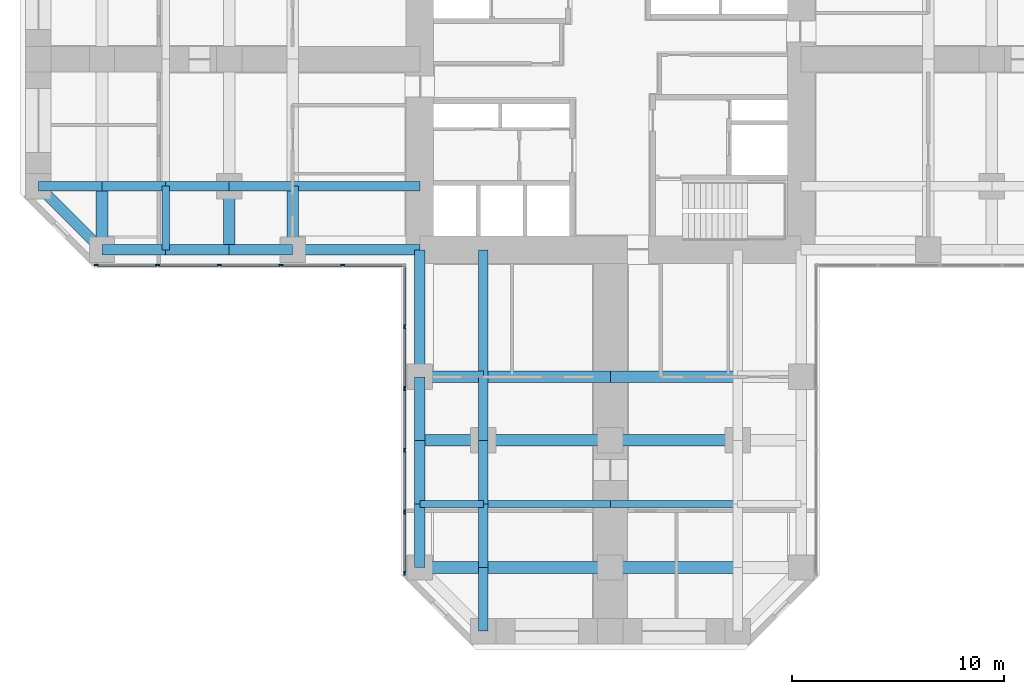
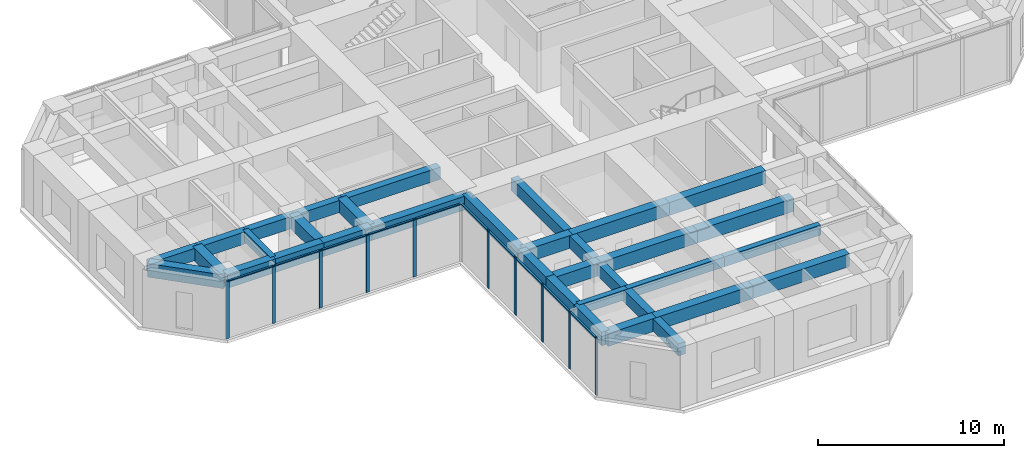
# One storey, part 2 of 13: 35 beams, 20 members, 2 elements without a shape of their own.
"""IFC4 building model written with IfcOpenShell, lengths in metres."""

from ifc_helpers import new_model, si_unit, direction, frame, origin, origin_2d, place, context, subcontext, project, spatial, rectangle, extrude, material, material_profile, profile_set, type_object, element, aggregate, save


model = new_model("IFC4")

# Units and contexts
model_context = context("Model", 3, precision=1e-05, world=origin(), true_north=direction((0.0, 1.0)))
body_context = subcontext(model_context, "Body", "Model", "MODEL_VIEW")
ifc_project = project(units=[si_unit("LENGTHUNIT", "METRE"), si_unit("AREAUNIT", "SQUARE_METRE"), si_unit("VOLUMEUNIT", "CUBIC_METRE"), si_unit("PLANEANGLEUNIT", "RADIAN"), si_unit("MASSUNIT", "GRAM", prefix="KILO")], contexts=[model_context])

# Site, building, storey
site_placement = place(None, origin())
site = spatial("IfcSite", under=ifc_project, at=site_placement, CompositionType="ELEMENT")
building_placement = place(site_placement, origin())
building = spatial("IfcBuilding", under=site, at=building_placement, Name="Torre Cruceta", CompositionType="ELEMENT")
storey_placement = place(building_placement, frame((0.0, 0.0, 55.5)))
storey = spatial("IfcBuildingStorey", under=building, at=storey_placement, Name="L13", CompositionType="ELEMENT", Elevation=55.5)

# Beams
ifc_material_1 = material(Name="Concrete G60 (fck 60 MPa)", Category="concrete")
ifc_material_profile_1 = material_profile(ifc_material_1, rectangle(XDim=0.449951171875, YDim=0.800048828125, at=origin_2d()), Name="RC 450X800")
ifc_profile_set_1 = profile_set([ifc_material_profile_1], Name="Concrete G60 (fck 60 MPa)")
beam_type_1 = type_object("IfcBeamType", Name="COLUMN LINE BEAM RC 450X800", PredefinedType="BEAM", material=ifc_profile_set_1)
beam_1_placement = place(storey_placement, frame((-6.0, -9.0, 3.39990234375), z_axis=(0.0, -1.0, 0.0), x_axis=(1.0, 0.0, 0.0)))
element("IfcBeam", 1, at=beam_1_placement, inside=storey, type_object=beam_type_1, Name="LB1 L13 S col- 1", PredefinedType="BEAM", context=body_context, shape_type="SweptSolid", body=[
    extrude(rectangle(XDim=0.449951171875, YDim=0.800048828125, at=origin_2d()), origin(), (0.0, 0.0, 1.0), 6.0),
])
for number, where, z_axis, x_axis, name in (
    (2, (-6.0, -15.0, 3.39990234375), (0.0, -1.0, 0.0), (1.0, 0.0, 0.0), "LB1 L13 S col- 2"),
    (3, (-6.0, -18.0, 3.39990234375), (0.0, -1.0, 0.0), (1.0, 0.0, 0.0), "LB1 L13 S col- 3"),
    (4, (-6.0, -21.0, 3.39990234375), (0.0, -1.0, 0.0), (1.0, 0.0, 0.0), "LB1 L13 S col- 4"),
    (5, (-6.0, -24.0, 3.39990234375), (0.0, -1.0, 0.0), (1.0, 0.0, 0.0), "LB1 L13 S col- 5"),
):
    element("IfcBeam", number, at=place(storey_placement, frame(where, z_axis=z_axis, x_axis=x_axis)), inside=storey, type_object=beam_type_1, Name=name, PredefinedType="BEAM", context=body_context, shape_type="SweptSolid", body=[
        extrude(rectangle(XDim=0.449951171875, YDim=0.800048828125, at=origin_2d()), origin(), (0.0, 0.0, 1.0), 3.0),
    ])
beam_2_placement = place(storey_placement, frame((-9.0, -6.0, 3.39990234375), z_axis=(-1.0, 0.0, 0.0), x_axis=(0.0, -1.0, 0.0)))
element("IfcBeam", 6, at=beam_2_placement, inside=storey, type_object=beam_type_1, Name="LB1 L13 W col+ 1", PredefinedType="BEAM", context=body_context, shape_type="SweptSolid", body=[
    extrude(rectangle(XDim=0.449951171875, YDim=0.800048828125, at=origin_2d()), origin(), (0.0, 0.0, 1.0), 6.0),
])
for number, where, z_axis, x_axis, name in (
    (7, (-15.0, -6.0, 3.39990234375), (-1.0, 0.0, 0.0), (0.0, -1.0, 0.0), "LB1 L13 W col+ 2"),
    (8, (-18.0, -6.0, 3.39990234375), (-1.0, 0.0, 0.0), (0.0, -1.0, 0.0), "LB1 L13 W col+ 3"),
    (9, (-21.0, -6.0, 3.39990234375), (-1.0, 0.0, 0.0), (0.0, -1.0, 0.0), "LB1 L13 W col+ 4"),
    (10, (-24.0, -6.0, 3.39990234375), (-1.0, 0.0, 0.0), (0.0, -1.0, 0.0), "LB1 L13 W col+ 5"),
):
    element("IfcBeam", number, at=place(storey_placement, frame(where, z_axis=z_axis, x_axis=x_axis)), inside=storey, type_object=beam_type_1, Name=name, PredefinedType="BEAM", context=body_context, shape_type="SweptSolid", body=[
        extrude(rectangle(XDim=0.449951171875, YDim=0.800048828125, at=origin_2d()), origin(), (0.0, 0.0, 1.0), 3.0),
    ])
ifc_material_2 = material(Name="Concrete G60 (fck 60 MPa)", Category="concrete")
ifc_material_profile_2 = material_profile(ifc_material_2, rectangle(XDim=0.550048828125, YDim=0.85009765625, at=origin_2d()), Name="RC 550X850")
ifc_profile_set_2 = profile_set([ifc_material_profile_2], Name="Concrete G60 (fck 60 MPa)")
beam_type_2 = type_object("IfcBeamType", Name="CROSS BEAM RC 550X850", PredefinedType="BEAM", material=ifc_profile_set_2)
beam_3_placement = place(storey_placement, frame((-9.0, -15.0, 3.375), z_axis=(1.0, 0.0, 0.0), x_axis=(0.0, 1.0, 0.0)))
element("IfcBeam", 11, at=beam_3_placement, inside=storey, type_object=beam_type_2, Name="GB4 L13 S cross15 1", PredefinedType="BEAM", context=body_context, shape_type="SweptSolid", body=[
    extrude(rectangle(XDim=0.550048828125, YDim=0.85009765625, at=origin_2d()), origin(), (0.0, 0.0, 1.0), 3.0),
])
for number, where, z_axis, x_axis, name in (
    (12, (-6.0, -15.0, 3.375), (1.0, 0.0, 0.0), (0.0, 1.0, 0.0), "GB4 L13 S cross15 2"),
    (13, (0.0, -15.0, 3.375), (1.0, 0.0, 0.0), (0.0, 1.0, 0.0), "GB4 L13 S cross15 3"),
):
    element("IfcBeam", number, at=place(storey_placement, frame(where, z_axis=z_axis, x_axis=x_axis)), inside=storey, type_object=beam_type_2, Name=name, PredefinedType="BEAM", context=body_context, shape_type="SweptSolid", body=[
        extrude(rectangle(XDim=0.550048828125, YDim=0.85009765625, at=origin_2d()), origin(), (0.0, 0.0, 1.0), 6.0),
    ])
beam_4_placement = place(storey_placement, frame((-9.0, -18.0, 3.375), z_axis=(1.0, 0.0, 0.0), x_axis=(0.0, 1.0, 0.0)))
element("IfcBeam", 14, at=beam_4_placement, inside=storey, type_object=beam_type_2, Name="GB4 L13 S cross18 1", PredefinedType="BEAM", context=body_context, shape_type="SweptSolid", body=[
    extrude(rectangle(XDim=0.550048828125, YDim=0.85009765625, at=origin_2d()), origin(), (0.0, 0.0, 1.0), 3.0),
])
for number, where, z_axis, x_axis, name in (
    (15, (-6.0, -18.0, 3.375), (1.0, 0.0, 0.0), (0.0, 1.0, 0.0), "GB4 L13 S cross18 2"),
    (16, (0.0, -18.0, 3.375), (1.0, 0.0, 0.0), (0.0, 1.0, 0.0), "GB4 L13 S cross18 3"),
):
    element("IfcBeam", number, at=place(storey_placement, frame(where, z_axis=z_axis, x_axis=x_axis)), inside=storey, type_object=beam_type_2, Name=name, PredefinedType="BEAM", context=body_context, shape_type="SweptSolid", body=[
        extrude(rectangle(XDim=0.550048828125, YDim=0.85009765625, at=origin_2d()), origin(), (0.0, 0.0, 1.0), 6.0),
    ])
beam_5_placement = place(storey_placement, frame((-9.0, -24.0, 3.375), z_axis=(1.0, 0.0, 0.0), x_axis=(0.0, 1.0, 0.0)))
element("IfcBeam", 17, at=beam_5_placement, inside=storey, type_object=beam_type_2, Name="GB4 L13 S cross24 1", PredefinedType="BEAM", context=body_context, shape_type="SweptSolid", body=[
    extrude(rectangle(XDim=0.550048828125, YDim=0.85009765625, at=origin_2d()), origin(), (0.0, 0.0, 1.0), 3.0),
])
for number, where, z_axis, x_axis, name in (
    (18, (-6.0, -24.0, 3.375), (1.0, 0.0, 0.0), (0.0, 1.0, 0.0), "GB4 L13 S cross24 2"),
    (19, (0.0, -24.0, 3.375), (1.0, 0.0, 0.0), (0.0, 1.0, 0.0), "GB4 L13 S cross24 3"),
):
    element("IfcBeam", number, at=place(storey_placement, frame(where, z_axis=z_axis, x_axis=x_axis)), inside=storey, type_object=beam_type_2, Name=name, PredefinedType="BEAM", context=body_context, shape_type="SweptSolid", body=[
        extrude(rectangle(XDim=0.550048828125, YDim=0.85009765625, at=origin_2d()), origin(), (0.0, 0.0, 1.0), 6.0),
    ])
for number, where, z_axis, x_axis, name in (
    (20, (-15.0, -6.0, 3.375), (0.0, -1.0, 0.0), (1.0, 0.0, 0.0), "GB4 L13 W cross15 4"),
    (21, (-18.0, -6.0, 3.375), (0.0, -1.0, 0.0), (1.0, 0.0, 0.0), "GB4 L13 W cross18 4"),
    (22, (-24.0, -6.0, 3.375), (0.0, -1.0, 0.0), (1.0, 0.0, 0.0), "GB4 L13 W cross24 4"),
):
    element("IfcBeam", number, at=place(storey_placement, frame(where, z_axis=z_axis, x_axis=x_axis)), inside=storey, type_object=beam_type_2, Name=name, PredefinedType="BEAM", context=body_context, shape_type="SweptSolid", body=[
        extrude(rectangle(XDim=0.550048828125, YDim=0.85009765625, at=origin_2d()), origin(), (0.0, 0.0, 1.0), 3.0),
    ])

# Curtain wall, members
ifc_material_3 = material(Name="Aluminium unitised curtain wall", Category="aluminium")
curtain_wall_type = type_object("IfcCurtainWallType", Name="CURTAIN WALL CW-A OFFICE LOW RISE", PredefinedType="USERDEFINED", material=ifc_material_3)
curtain_wall_1_placement = place(storey_placement, origin())
curtain_wall_1 = element("IfcCurtainWall", 23, at=curtain_wall_1_placement, inside=storey, type_object=curtain_wall_type, Name="CW-A L13 W side 14", ObjectType="UNITISED", PredefinedType="USERDEFINED")
ifc_material_4 = material(Name="Aluminium mullion", Category="aluminium")
ifc_material_profile_3 = material_profile(ifc_material_4, rectangle(XDim=0.06494140625, YDim=0.199951171875, at=origin_2d()), Name="AL 65X200")
ifc_profile_set_3 = profile_set([ifc_material_profile_3], Name="Aluminium mullion")
member_type_1 = type_object("IfcMemberType", Name="CW-A MULLION 65X200", PredefinedType="MULLION", material=ifc_profile_set_3)
member_1_placement = place(storey_placement, frame((-24.265625, -9.719970703125, 0.0), z_axis=(0.0, 0.0, 1.0), x_axis=(0.0, 1.0, 0.0)))
member_1 = element("IfcMember", 24, at=member_1_placement, type_object=member_type_1, Name="CW-A mullion 1", PredefinedType="MULLION", context=body_context, shape_type="SweptSolid", body=[
    extrude(rectangle(XDim=0.06494140625, YDim=0.199951171875, at=origin_2d()), origin(), (0.0, 0.0, 1.0), 3.800048828125),
])
member_2_placement = place(storey_placement, frame((-21.382568359375, -9.719970703125, 0.0), z_axis=(0.0, 0.0, 1.0), x_axis=(0.0, 1.0, 0.0)))
member_2 = element("IfcMember", 25, at=member_2_placement, type_object=member_type_1, Name="CW-A mullion 2", PredefinedType="MULLION", context=body_context, shape_type="SweptSolid", body=[
    extrude(rectangle(XDim=0.06494140625, YDim=0.199951171875, at=origin_2d()), origin(), (0.0, 0.0, 1.0), 3.800048828125),
])
member_3_placement = place(storey_placement, frame((-18.467041015625, -9.719970703125, 0.0), z_axis=(0.0, 0.0, 1.0), x_axis=(0.0, 1.0, 0.0)))
member_3 = element("IfcMember", 26, at=member_3_placement, type_object=member_type_1, Name="CW-A mullion 3", PredefinedType="MULLION", context=body_context, shape_type="SweptSolid", body=[
    extrude(rectangle(XDim=0.06494140625, YDim=0.199951171875, at=origin_2d()), origin(), (0.0, 0.0, 1.0), 3.800048828125),
])
member_4_placement = place(storey_placement, frame((-15.55126953125, -9.719970703125, 0.0), z_axis=(0.0, 0.0, 1.0), x_axis=(0.0, 1.0, 0.0)))
member_4 = element("IfcMember", 27, at=member_4_placement, type_object=member_type_1, Name="CW-A mullion 4", PredefinedType="MULLION", context=body_context, shape_type="SweptSolid", body=[
    extrude(rectangle(XDim=0.06494140625, YDim=0.199951171875, at=origin_2d()), origin(), (0.0, 0.0, 1.0), 3.800048828125),
])
member_5_placement = place(storey_placement, frame((-12.6357421875, -9.719970703125, 0.0), z_axis=(0.0, 0.0, 1.0), x_axis=(0.0, 1.0, 0.0)))
member_5 = element("IfcMember", 28, at=member_5_placement, type_object=member_type_1, Name="CW-A mullion 5", PredefinedType="MULLION", context=body_context, shape_type="SweptSolid", body=[
    extrude(rectangle(XDim=0.06494140625, YDim=0.199951171875, at=origin_2d()), origin(), (0.0, 0.0, 1.0), 3.800048828125),
])

curtain_wall_2_placement = place(storey_placement, origin())
curtain_wall_2 = element("IfcCurtainWall", 29, at=curtain_wall_2_placement, inside=storey, type_object=curtain_wall_type, Name="CW-A L13 S side 15", ObjectType="UNITISED", PredefinedType="USERDEFINED")
member_6_placement = place(storey_placement, frame((-9.719970703125, -12.6357421875, 0.0), z_axis=(0.0, 0.0, 1.0), x_axis=(1.0, 0.0, 0.0)))
member_6 = element("IfcMember", 30, at=member_6_placement, type_object=member_type_1, Name="CW-A mullion 2", PredefinedType="MULLION", context=body_context, shape_type="SweptSolid", body=[
    extrude(rectangle(XDim=0.06494140625, YDim=0.199951171875, at=origin_2d()), origin(), (0.0, 0.0, 1.0), 3.800048828125),
])
member_7_placement = place(storey_placement, frame((-9.719970703125, -15.55126953125, 0.0), z_axis=(0.0, 0.0, 1.0), x_axis=(1.0, 0.0, 0.0)))
member_7 = element("IfcMember", 31, at=member_7_placement, type_object=member_type_1, Name="CW-A mullion 3", PredefinedType="MULLION", context=body_context, shape_type="SweptSolid", body=[
    extrude(rectangle(XDim=0.06494140625, YDim=0.199951171875, at=origin_2d()), origin(), (0.0, 0.0, 1.0), 3.800048828125),
])
member_8_placement = place(storey_placement, frame((-9.719970703125, -18.467041015625, 0.0), z_axis=(0.0, 0.0, 1.0), x_axis=(1.0, 0.0, 0.0)))
member_8 = element("IfcMember", 32, at=member_8_placement, type_object=member_type_1, Name="CW-A mullion 4", PredefinedType="MULLION", context=body_context, shape_type="SweptSolid", body=[
    extrude(rectangle(XDim=0.06494140625, YDim=0.199951171875, at=origin_2d()), origin(), (0.0, 0.0, 1.0), 3.800048828125),
])
member_9_placement = place(storey_placement, frame((-9.719970703125, -21.382568359375, 0.0), z_axis=(0.0, 0.0, 1.0), x_axis=(1.0, 0.0, 0.0)))
member_9 = element("IfcMember", 33, at=member_9_placement, type_object=member_type_1, Name="CW-A mullion 5", PredefinedType="MULLION", context=body_context, shape_type="SweptSolid", body=[
    extrude(rectangle(XDim=0.06494140625, YDim=0.199951171875, at=origin_2d()), origin(), (0.0, 0.0, 1.0), 3.800048828125),
])
member_10_placement = place(storey_placement, frame((-9.719970703125, -24.265625, 0.0), z_axis=(0.0, 0.0, 1.0), x_axis=(1.0, 0.0, 0.0)))
member_10 = element("IfcMember", 34, at=member_10_placement, type_object=member_type_1, Name="CW-A mullion 6", PredefinedType="MULLION", context=body_context, shape_type="SweptSolid", body=[
    extrude(rectangle(XDim=0.06494140625, YDim=0.199951171875, at=origin_2d()), origin(), (0.0, 0.0, 1.0), 3.800048828125),
])

# Member
ifc_material_5 = material(Name="Aluminium transom", Category="aluminium")
ifc_material_profile_4 = material_profile(ifc_material_5, rectangle(XDim=0.1201171875, YDim=0.06494140625, at=origin_2d()), Name="AL 120X65")
ifc_profile_set_4 = profile_set([ifc_material_profile_4], Name="Aluminium transom")
member_type_2 = type_object("IfcMemberType", Name="CW-A TRANSOM 65X120", PredefinedType="USERDEFINED", material=ifc_profile_set_4)
member_11_placement = place(storey_placement, frame((-24.233154296875, -9.719970703125, 3.767578125), z_axis=(1.0, 0.0, 0.0), x_axis=(0.0, 1.0, 0.0)))
member_11 = element("IfcMember", 35, at=member_11_placement, type_object=member_type_2, Name="CW-A transom 1", ObjectType="TRANSOM", PredefinedType="USERDEFINED", context=body_context, shape_type="SweptSolid", body=[
    extrude(rectangle(XDim=0.1201171875, YDim=0.06494140625, at=origin_2d()), origin(), (0.0, 0.0, 1.0), 2.818115234375),
])

member_12_placement = place(storey_placement, frame((-21.35009765625, -9.719970703125, 3.767578125), z_axis=(1.0, 0.0, 0.0), x_axis=(0.0, 1.0, 0.0)))
member_12 = element("IfcMember", 36, at=member_12_placement, type_object=member_type_2, Name="CW-A transom 2", ObjectType="TRANSOM", PredefinedType="USERDEFINED", context=body_context, shape_type="SweptSolid", body=[
    extrude(rectangle(XDim=0.1201171875, YDim=0.06494140625, at=origin_2d()), origin(), (0.0, 0.0, 1.0), 2.8505859375),
])

member_13_placement = place(storey_placement, frame((-18.434326171875, -9.719970703125, 3.767578125), z_axis=(1.0, 0.0, 0.0), x_axis=(0.0, 1.0, 0.0)))
member_13 = element("IfcMember", 37, at=member_13_placement, type_object=member_type_2, Name="CW-A transom 3", ObjectType="TRANSOM", PredefinedType="USERDEFINED", context=body_context, shape_type="SweptSolid", body=[
    extrude(rectangle(XDim=0.1201171875, YDim=0.06494140625, at=origin_2d()), origin(), (0.0, 0.0, 1.0), 2.8505859375),
])

member_14_placement = place(storey_placement, frame((-15.518798828125, -9.719970703125, 3.767578125), z_axis=(1.0, 0.0, 0.0), x_axis=(0.0, 1.0, 0.0)))
member_14 = element("IfcMember", 38, at=member_14_placement, type_object=member_type_2, Name="CW-A transom 4", ObjectType="TRANSOM", PredefinedType="USERDEFINED", context=body_context, shape_type="SweptSolid", body=[
    extrude(rectangle(XDim=0.1201171875, YDim=0.06494140625, at=origin_2d()), origin(), (0.0, 0.0, 1.0), 2.8505859375),
])

member_15_placement = place(storey_placement, frame((-12.60302734375, -9.719970703125, 3.767578125), z_axis=(1.0, 0.0, 0.0), x_axis=(0.0, 1.0, 0.0)))
member_15 = element("IfcMember", 39, at=member_15_placement, type_object=member_type_2, Name="CW-A transom 5", ObjectType="TRANSOM", PredefinedType="USERDEFINED", context=body_context, shape_type="SweptSolid", body=[
    extrude(rectangle(XDim=0.1201171875, YDim=0.06494140625, at=origin_2d()), origin(), (0.0, 0.0, 1.0), 2.818115234375),
])

aggregate(curtain_wall_1, [member_1, member_2, member_3, member_4, member_5, member_11, member_12, member_13, member_14, member_15])

member_16_placement = place(storey_placement, frame((-9.719970703125, -9.784912109375, 3.767578125), z_axis=(0.0, -1.0, 0.0), x_axis=(1.0, 0.0, 0.0)))
member_16 = element("IfcMember", 40, at=member_16_placement, type_object=member_type_2, Name="CW-A transom 1", ObjectType="TRANSOM", PredefinedType="USERDEFINED", context=body_context, shape_type="SweptSolid", body=[
    extrude(rectangle(XDim=0.1201171875, YDim=0.06494140625, at=origin_2d()), origin(), (0.0, 0.0, 1.0), 2.818115234375),
])

member_17_placement = place(storey_placement, frame((-9.719970703125, -12.668212890625, 3.767578125), z_axis=(0.0, -1.0, 0.0), x_axis=(1.0, 0.0, 0.0)))
member_17 = element("IfcMember", 41, at=member_17_placement, type_object=member_type_2, Name="CW-A transom 2", ObjectType="TRANSOM", PredefinedType="USERDEFINED", context=body_context, shape_type="SweptSolid", body=[
    extrude(rectangle(XDim=0.1201171875, YDim=0.06494140625, at=origin_2d()), origin(), (0.0, 0.0, 1.0), 2.8505859375),
])

member_18_placement = place(storey_placement, frame((-9.719970703125, -15.583740234375, 3.767578125), z_axis=(0.0, -1.0, 0.0), x_axis=(1.0, 0.0, 0.0)))
member_18 = element("IfcMember", 42, at=member_18_placement, type_object=member_type_2, Name="CW-A transom 3", ObjectType="TRANSOM", PredefinedType="USERDEFINED", context=body_context, shape_type="SweptSolid", body=[
    extrude(rectangle(XDim=0.1201171875, YDim=0.06494140625, at=origin_2d()), origin(), (0.0, 0.0, 1.0), 2.8505859375),
])

member_19_placement = place(storey_placement, frame((-9.719970703125, -18.49951171875, 3.767578125), z_axis=(0.0, -1.0, 0.0), x_axis=(1.0, 0.0, 0.0)))
member_19 = element("IfcMember", 43, at=member_19_placement, type_object=member_type_2, Name="CW-A transom 4", ObjectType="TRANSOM", PredefinedType="USERDEFINED", context=body_context, shape_type="SweptSolid", body=[
    extrude(rectangle(XDim=0.1201171875, YDim=0.06494140625, at=origin_2d()), origin(), (0.0, 0.0, 1.0), 2.8505859375),
])

member_20_placement = place(storey_placement, frame((-9.719970703125, -21.4150390625, 3.767578125), z_axis=(0.0, -1.0, 0.0), x_axis=(1.0, 0.0, 0.0)))
member_20 = element("IfcMember", 44, at=member_20_placement, type_object=member_type_2, Name="CW-A transom 5", ObjectType="TRANSOM", PredefinedType="USERDEFINED", context=body_context, shape_type="SweptSolid", body=[
    extrude(rectangle(XDim=0.1201171875, YDim=0.06494140625, at=origin_2d()), origin(), (0.0, 0.0, 1.0), 2.818115234375),
])

aggregate(curtain_wall_2, [member_6, member_7, member_8, member_9, member_10, member_16, member_17, member_18, member_19, member_20])

# Beams
ifc_material_6 = material(Name="Concrete G60 (fck 60 MPa)", Category="concrete")
ifc_material_profile_5 = material_profile(ifc_material_6, rectangle(XDim=0.35009765625, YDim=0.64990234375, at=origin_2d()), Name="RC 350X650")
ifc_profile_set_5 = profile_set([ifc_material_profile_5], Name="Concrete G60 (fck 60 MPa)")
beam_type_3 = type_object("IfcBeamType", Name="SECONDARY BEAM RC 350X650", PredefinedType="JOIST", material=ifc_profile_set_5)
beam_6_placement = place(storey_placement, frame((-9.0, -21.0, 3.47509765625), z_axis=(1.0, 0.0, 0.0), x_axis=(0.0, 1.0, 0.0)))
element("IfcBeam", 45, at=beam_6_placement, inside=storey, type_object=beam_type_3, Name="JB3 L13 S sec21 1", PredefinedType="JOIST", context=body_context, shape_type="SweptSolid", body=[
    extrude(rectangle(XDim=0.35009765625, YDim=0.64990234375, at=origin_2d()), origin(), (0.0, 0.0, 1.0), 3.0),
])
for number, where, z_axis, x_axis, name in (
    (46, (-6.0, -21.0, 3.47509765625), (1.0, 0.0, 0.0), (0.0, 1.0, 0.0), "JB3 L13 S sec21 2"),
    (47, (0.0, -21.0, 3.47509765625), (1.0, 0.0, 0.0), (0.0, 1.0, 0.0), "JB3 L13 S sec21 3"),
):
    element("IfcBeam", number, at=place(storey_placement, frame(where, z_axis=z_axis, x_axis=x_axis)), inside=storey, type_object=beam_type_3, Name=name, PredefinedType="JOIST", context=body_context, shape_type="SweptSolid", body=[
        extrude(rectangle(XDim=0.35009765625, YDim=0.64990234375, at=origin_2d()), origin(), (0.0, 0.0, 1.0), 6.0),
    ])
beam_7_placement = place(storey_placement, frame((-21.0, -6.0, 3.47509765625), z_axis=(0.0, -1.0, 0.0), x_axis=(1.0, 0.0, 0.0)))
element("IfcBeam", 48, at=beam_7_placement, inside=storey, type_object=beam_type_3, Name="JB3 L13 W sec21 4", PredefinedType="JOIST", context=body_context, shape_type="SweptSolid", body=[
    extrude(rectangle(XDim=0.35009765625, YDim=0.64990234375, at=origin_2d()), origin(), (0.0, 0.0, 1.0), 3.0),
])
ifc_material_7 = material(Name="Concrete G60 (fck 60 MPa)", Category="concrete")
ifc_material_profile_6 = material_profile(ifc_material_7, rectangle(XDim=0.5, YDim=0.89990234375, at=origin_2d()), Name="RC 500X900")
ifc_profile_set_6 = profile_set([ifc_material_profile_6], Name="Concrete G60 (fck 60 MPa)")
beam_type_4 = type_object("IfcBeamType", Name="SPANDREL BEAM RC 500X900", PredefinedType="SPANDREL", material=ifc_profile_set_6)
beam_8_placement = place(storey_placement, frame((-9.0, -9.0, 3.35009765625), z_axis=(0.0, -1.0, 0.0), x_axis=(1.0, 0.0, 0.0)))
element("IfcBeam", 49, at=beam_8_placement, inside=storey, type_object=beam_type_4, Name="SB4 L13 S side- 1", PredefinedType="SPANDREL", context=body_context, shape_type="SweptSolid", body=[
    extrude(rectangle(XDim=0.5, YDim=0.89990234375, at=origin_2d()), origin(), (0.0, 0.0, 1.0), 6.0),
])
for number, where, z_axis, x_axis, name in (
    (50, (-9.0, -15.0, 3.35009765625), (0.0, -1.0, 0.0), (1.0, 0.0, 0.0), "SB4 L13 S side- 2"),
    (51, (-9.0, -18.0, 3.35009765625), (0.0, -1.0, 0.0), (1.0, 0.0, 0.0), "SB4 L13 S side- 3"),
    (52, (-9.0, -21.0, 3.35009765625), (0.0, -1.0, 0.0), (1.0, 0.0, 0.0), "SB4 L13 S side- 4"),
):
    element("IfcBeam", number, at=place(storey_placement, frame(where, z_axis=z_axis, x_axis=x_axis)), inside=storey, type_object=beam_type_4, Name=name, PredefinedType="SPANDREL", context=body_context, shape_type="SweptSolid", body=[
        extrude(rectangle(XDim=0.5, YDim=0.89990234375, at=origin_2d()), origin(), (0.0, 0.0, 1.0), 3.0),
    ])
beam_9_placement = place(storey_placement, frame((-9.0, -9.0, 3.35009765625), z_axis=(-1.0, 0.0, 0.0), x_axis=(0.0, -1.0, 0.0)))
element("IfcBeam", 53, at=beam_9_placement, inside=storey, type_object=beam_type_4, Name="SB4 L13 W side+ 1", PredefinedType="SPANDREL", context=body_context, shape_type="SweptSolid", body=[
    extrude(rectangle(XDim=0.5, YDim=0.89990234375, at=origin_2d()), origin(), (0.0, 0.0, 1.0), 6.0),
])
for number, where, z_axis, x_axis, name in (
    (54, (-15.0, -9.0, 3.35009765625), (-1.0, 0.0, 0.0), (0.0, -1.0, 0.0), "SB4 L13 W side+ 2"),
    (55, (-18.0, -9.0, 3.35009765625), (-1.0, 0.0, 0.0), (0.0, -1.0, 0.0), "SB4 L13 W side+ 3"),
    (56, (-21.0, -9.0, 3.35009765625), (-1.0, 0.0, 0.0), (0.0, -1.0, 0.0), "SB4 L13 W side+ 4"),
):
    element("IfcBeam", number, at=place(storey_placement, frame(where, z_axis=z_axis, x_axis=x_axis)), inside=storey, type_object=beam_type_4, Name=name, PredefinedType="SPANDREL", context=body_context, shape_type="SweptSolid", body=[
        extrude(rectangle(XDim=0.5, YDim=0.89990234375, at=origin_2d()), origin(), (0.0, 0.0, 1.0), 3.0),
    ])
beam_10_placement = place(storey_placement, frame((-24.0, -9.0, 3.35009765625), z_axis=(-0.707106781187, 0.707106781187, 0.0), x_axis=(-0.707106781187, -0.707106781187, 0.0)))
element("IfcBeam", 57, at=beam_10_placement, inside=storey, type_object=beam_type_4, Name="SB4 L13 W side+ 5", PredefinedType="SPANDREL", context=body_context, shape_type="SweptSolid", body=[
    extrude(rectangle(XDim=0.5, YDim=0.89990234375, at=origin_2d()), origin(), (0.0, 0.0, 1.0), 4.24267578125),
])

save(model, "model.ifc")
